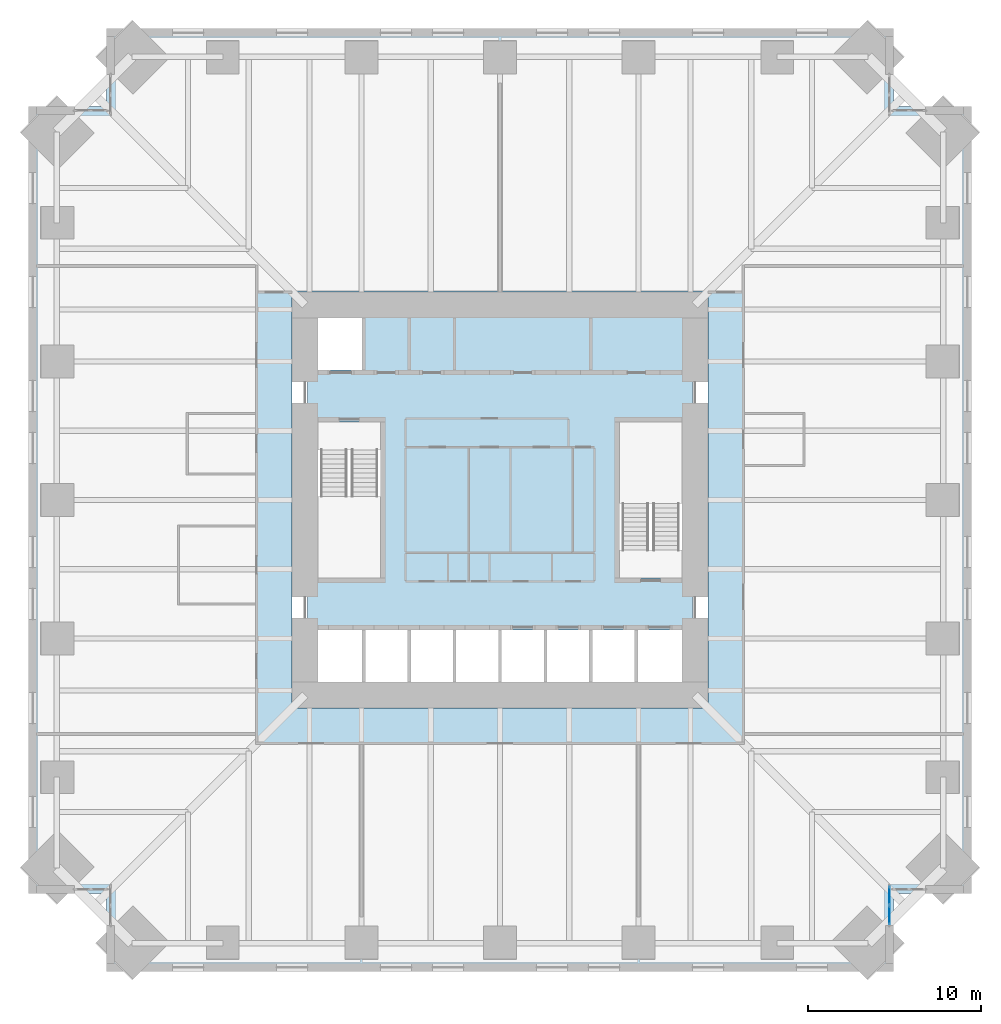
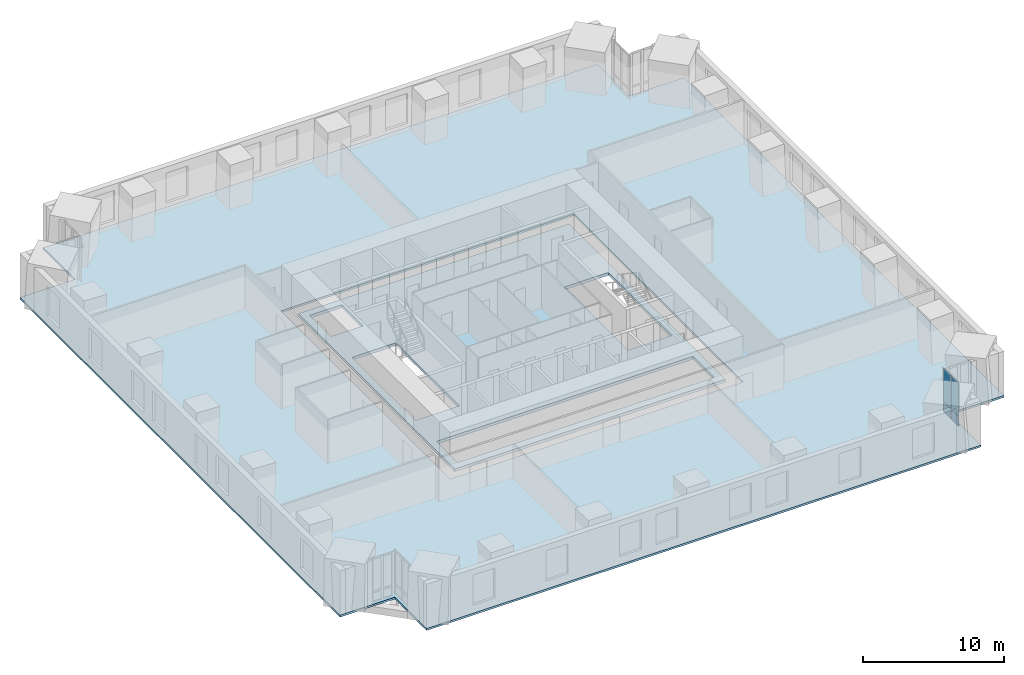
# One storey, part 10 of 16: 4 plates, 2 slabs, 1 element without a shape of its own.
"""IFC4 building model written with IfcOpenShell, lengths in metres."""

from ifc_helpers import new_model, si_unit, direction, frame, origin, origin_2d, place, context, subcontext, project, spatial, polyline, rectangle, outline, extrude, material, layer, layer_set, type_object, element, aggregate, save


model = new_model("IFC4")

# Units and contexts
model_context = context("Model", 3, precision=1e-05, world=origin(), true_north=direction((0.0, 1.0)))
body_context = subcontext(model_context, "Body", "Model", "MODEL_VIEW")
ifc_project = project(units=[si_unit("LENGTHUNIT", "METRE"), si_unit("AREAUNIT", "SQUARE_METRE"), si_unit("VOLUMEUNIT", "CUBIC_METRE"), si_unit("PLANEANGLEUNIT", "RADIAN"), si_unit("MASSUNIT", "GRAM", prefix="KILO")], contexts=[model_context])

# Site, building, storey
site_placement = place(None, origin())
site = spatial("IfcSite", under=ifc_project, at=site_placement, CompositionType="ELEMENT")
building_placement = place(site_placement, origin())
building = spatial("IfcBuilding", under=site, at=building_placement, Name="Peilmerk Tower", CompositionType="ELEMENT")
storey_placement = place(building_placement, frame((0.0, 0.0, 131.800048828125)))
storey = spatial("IfcBuildingStorey", under=building, at=storey_placement, Name="L26", CompositionType="ELEMENT", Elevation=131.800048828125)

# Slab
ifc_material_1 = material(Name="Concrete C55/67", Category="concrete")
ifc_layer_1 = layer(ifc_material_1, 0.25)
ifc_layer_set_1 = layer_set([ifc_layer_1], Name="Concrete C55/67")
slab_type_1 = type_object("IfcSlabType", Name="CS250 250 core floor slab", PredefinedType="FLOOR", material=ifc_layer_set_1)
slab_1_placement = place(storey_placement, frame((0.0, 0.0, -0.25)))
element("IfcSlab", 1, at=slab_1_placement, inside=storey, type_object=slab_type_1, Name="Core slab L26", PredefinedType="FLOOR", context=body_context, shape_type="SweptSolid", body=[
    extrude(outline(polyline([(11.10009765625, 11.10009765625), (-11.10009765625, 11.10009765625), (-11.10009765625, -11.10009765625), (11.10009765625, -11.10009765625), (11.10009765625, 11.10009765625)]), holes=[polyline([(-10.5, 7.5), (-10.5, 10.5), (-7.875, 10.5), (-7.875, 7.5), (-10.5, 7.5)]), polyline([(-10.5, -10.5), (-10.5, -7.5), (10.5, -7.5), (10.5, -10.5), (-10.5, -10.5)]), polyline([(-10.5, 4.5), (-6.89990234375, 4.5), (-6.89990234375, -4.5), (-10.5, -4.5), (-10.5, 4.5)]), polyline([(10.5, 4.5), (10.5, -4.5), (6.89990234375, -4.5), (6.89990234375, 4.5), (10.5, 4.5)])]), origin(), (0.0, 0.0, 1.0), 0.25),
])

# Curtain wall, plates
ifc_material_2 = material(Name="Aluminium stick curtain wall", Category="aluminium")
curtain_wall_type = type_object("IfcCurtainWallType", Name="CW3 stick curtain wall, 2250 module", PredefinedType="NOTDEFINED", material=ifc_material_2)
curtain_wall_placement = place(storey_placement, origin())
curtain_wall = element("IfcCurtainWall", 2, at=curtain_wall_placement, inside=storey, type_object=curtain_wall_type, Name="Curtain wall CW3 SEA L26", PredefinedType="NOTDEFINED")
ifc_material_3 = material(Name="Clear insulated glazing unit", Category="glass")
ifc_layer_2 = layer(ifc_material_3, 0.028076171875)
ifc_layer_set_2 = layer_set([ifc_layer_2], Name="Clear insulated glazing unit")
plate_type = type_object("IfcPlateType", Name="CW3-P 28 glazed panel", PredefinedType="CURTAIN_PANEL", material=ifc_layer_set_2)
plate_1_placement = place(storey_placement, frame((22.47509765625, -22.83837890625, 0.06494140625), z_axis=(0.0, 0.0, 1.0), x_axis=(0.0, -1.0, 0.0)))
plate_1 = element("IfcPlate", 3, at=plate_1_placement, type_object=plate_type, Name="CW3 panel 1.1", PredefinedType="CURTAIN_PANEL", context=body_context, shape_type="SweptSolid", body=[
    extrude(rectangle(XDim=1.046875, YDim=0.028076171875, at=origin_2d()), origin(), (0.0, 0.0, 1.0), 0.802490234375),
])
plate_2_placement = place(storey_placement, frame((22.47509765625, -22.83837890625, 0.932373046875), z_axis=(0.0, 0.0, 1.0), x_axis=(0.0, -1.0, 0.0)))
plate_2 = element("IfcPlate", 4, at=plate_2_placement, type_object=plate_type, Name="CW3 panel 1.2", PredefinedType="CURTAIN_PANEL", context=body_context, shape_type="SweptSolid", body=[
    extrude(rectangle(XDim=1.046875, YDim=0.028076171875, at=origin_2d()), origin(), (0.0, 0.0, 1.0), 2.83251953125),
])
plate_3_placement = place(storey_placement, frame((22.47509765625, -23.9501953125, 0.06494140625), z_axis=(0.0, 0.0, 1.0), x_axis=(0.0, -1.0, 0.0)))
plate_3 = element("IfcPlate", 5, at=plate_3_placement, type_object=plate_type, Name="CW3 panel 2.1", PredefinedType="CURTAIN_PANEL", context=body_context, shape_type="SweptSolid", body=[
    extrude(rectangle(XDim=1.046875, YDim=0.028076171875, at=origin_2d()), origin(), (0.0, 0.0, 1.0), 0.802490234375),
])
plate_4_placement = place(storey_placement, frame((22.47509765625, -23.9501953125, 0.932373046875), z_axis=(0.0, 0.0, 1.0), x_axis=(0.0, -1.0, 0.0)))
plate_4 = element("IfcPlate", 6, at=plate_4_placement, type_object=plate_type, Name="CW3 panel 2.2", PredefinedType="CURTAIN_PANEL", context=body_context, shape_type="SweptSolid", body=[
    extrude(rectangle(XDim=1.046875, YDim=0.028076171875, at=origin_2d()), origin(), (0.0, 0.0, 1.0), 2.83251953125),
])
aggregate(curtain_wall, [plate_1, plate_2, plate_3, plate_4])

# Slab
ifc_material_4 = material(Name="Concrete C35/45", Category="concrete")
ifc_layer_3 = layer(ifc_material_4, 0.169921875)
ifc_layer_set_3 = layer_set([ifc_layer_3], Name="Concrete C35/45")
slab_type_2 = type_object("IfcSlabType", Name="FS170 170 composite floor slab", PredefinedType="FLOOR", material=ifc_layer_set_3)
slab_2_placement = place(storey_placement, frame((0.0, 0.0, -0.170166015625)))
element("IfcSlab", 7, at=slab_2_placement, inside=storey, type_object=slab_type_2, Name="Floor slab L26", PredefinedType="FLOOR", context=body_context, shape_type="SweptSolid", body=[
    extrude(outline(polyline([(-22.699951171875, -27.199951171875), (22.699951171875, -27.199951171875), (22.699951171875, -22.699951171875), (27.199951171875, -22.699951171875), (27.199951171875, 22.699951171875), (22.699951171875, 22.699951171875), (22.699951171875, 27.199951171875), (-22.699951171875, 27.199951171875), (-22.699951171875, 22.699951171875), (-27.199951171875, 22.699951171875), (-27.199951171875, -22.699951171875), (-22.699951171875, -22.699951171875), (-22.699951171875, -27.199951171875)]), holes=[polyline([(12.0, 12.0), (12.0, -12.0), (-12.0, -12.0), (-12.0, 12.0), (12.0, 12.0)])]), origin(), (0.0, 0.0, 1.0), 0.170166015625),
])

save(model, "model.ifc")
